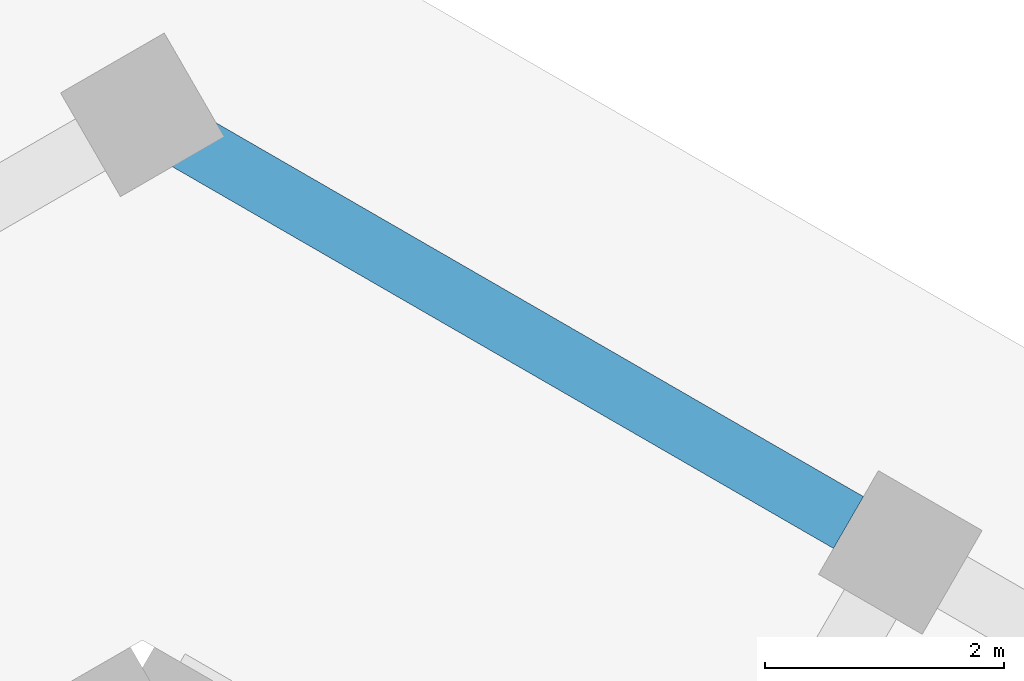
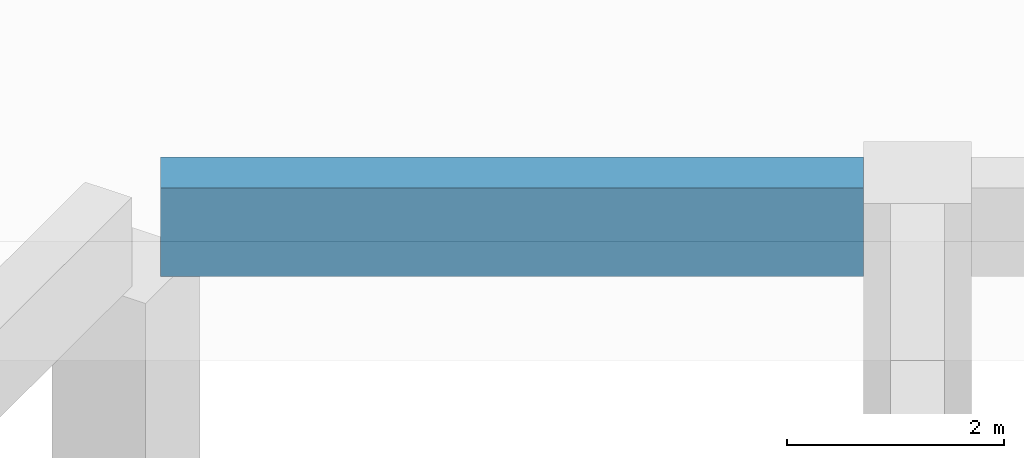
# One storey, part 16 of 51: 1 beam.
"""IFC4 building model written with IfcOpenShell, lengths in metres."""

from ifc_helpers import new_model, si_unit, direction, frame, origin, origin_2d, place, context, subcontext, project, spatial, rectangle, extrude, material, material_profile, profile_set, type_object, element, save


model = new_model("IFC4")

# Units and contexts
model_context = context("Model", 3, precision=1e-05, world=origin(), true_north=direction((0.0, 1.0)))
body_context = subcontext(model_context, "Body", "Model", "MODEL_VIEW")
ifc_project = project(units=[si_unit("LENGTHUNIT", "METRE"), si_unit("AREAUNIT", "SQUARE_METRE"), si_unit("VOLUMEUNIT", "CUBIC_METRE"), si_unit("PLANEANGLEUNIT", "RADIAN"), si_unit("MASSUNIT", "GRAM", prefix="KILO")], contexts=[model_context])

# Site, building, storey
site_placement = place(None, origin())
site = spatial("IfcSite", under=ifc_project, at=site_placement, CompositionType="ELEMENT")
building_placement = place(site_placement, origin())
building = spatial("IfcBuilding", under=site, at=building_placement, Name="Jabali Bay Hotel Tower and Convention Centre", CompositionType="ELEMENT")
storey_placement = place(building_placement, frame((0.0, 0.0, 9.0)))
storey = spatial("IfcBuildingStorey", under=building, at=storey_placement, Name="L01", CompositionType="ELEMENT", Elevation=9.0)

# Beam
ifc_material = material(Name="Concrete C40", Category="concrete")
ifc_material_profile = material_profile(ifc_material, rectangle(XDim=0.5, YDim=1.0, at=origin_2d()), Name="RC 500x1000")
ifc_profile_set = profile_set([ifc_material_profile], Name="Concrete C40")
beam_type = type_object("IfcBeamType", Name="Arcade Edge Beam 500x1000", PredefinedType="BEAM", material=ifc_profile_set)
beam_placement = place(storey_placement, frame((100.73681640625, 125.57763671875, 4.199951171875), z_axis=(-0.866025824846, 0.499999270699, 0.0), x_axis=(-0.499999270699, -0.866025824846, 0.0)))
element("IfcBeam", 1, at=beam_placement, inside=storey, type_object=beam_type, Name="Arcade edge beam 2", PredefinedType="BEAM", context=body_context, shape_type="SweptSolid", body=[
    extrude(rectangle(XDim=0.5, YDim=1.0, at=origin_2d()), origin(), (0.0, 0.0, 1.0), 6.4892578125),
])

save(model, "model.ifc")
